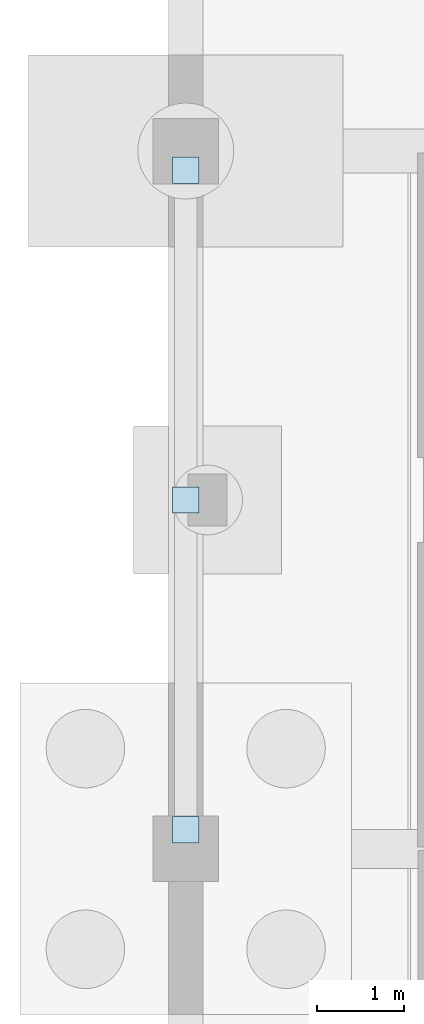
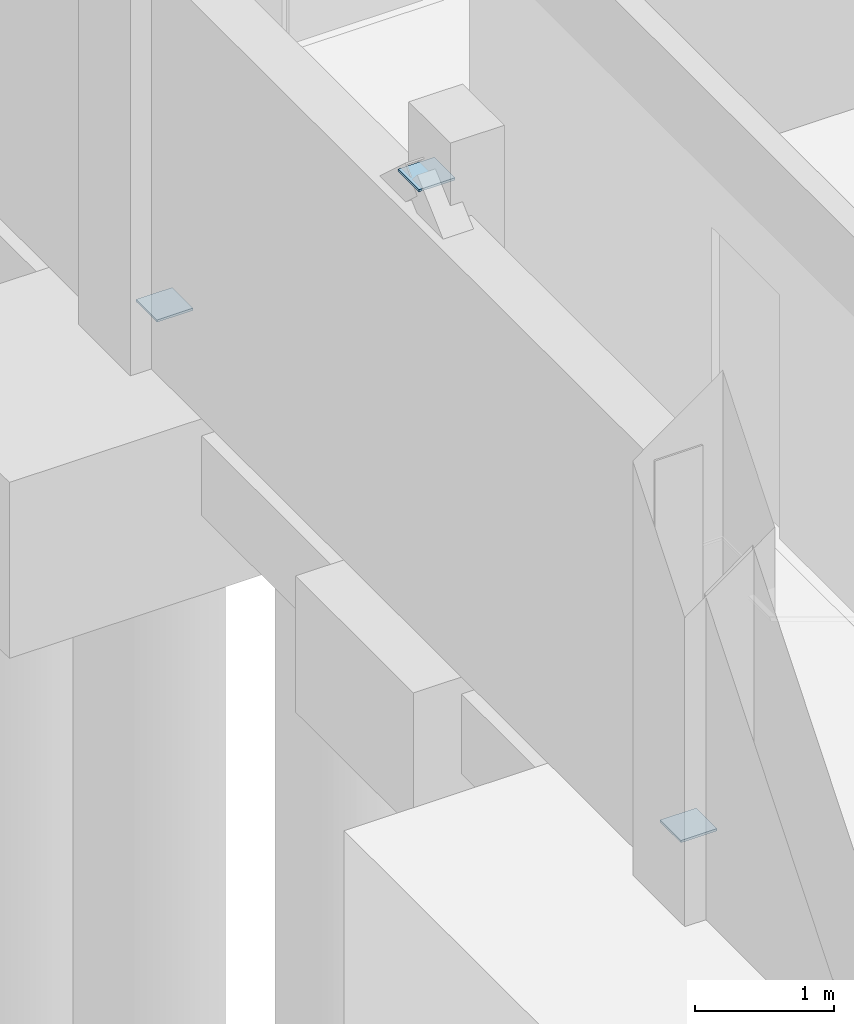
# One storey, part 24 of 48: 3 plates.
"""IFC4 building model written with IfcOpenShell, lengths in metres."""

from ifc_helpers import new_model, si_unit, derived_unit, direction, frame, origin, origin_2d, place, context, subcontext, project, spatial, rectangle, extrude, material, layer, layer_set, type_object, element, save


model = new_model("IFC4")

# Units and contexts
model_context = context("Model", 3, precision=1e-05, world=origin(), true_north=direction((0.0, 1.0)))
body_context = subcontext(model_context, "Body", "Model", "MODEL_VIEW")
ifc_project = project(units=[si_unit("LENGTHUNIT", "METRE"), si_unit("AREAUNIT", "SQUARE_METRE"), si_unit("VOLUMEUNIT", "CUBIC_METRE"), si_unit("PLANEANGLEUNIT", "RADIAN"), si_unit("MASSUNIT", "GRAM", prefix="KILO"), derived_unit("THERMALTRANSMITTANCEUNIT", [(si_unit("MASSUNIT", "GRAM", prefix="KILO"), 1), (si_unit("TIMEUNIT", "SECOND"), -3), (si_unit("THERMODYNAMICTEMPERATUREUNIT", "KELVIN"), -1)])], contexts=[model_context])

# Site, building, storey
site_placement = place(None, origin())
site = spatial("IfcSite", under=ifc_project, at=site_placement, CompositionType="ELEMENT")
building_placement = place(site_placement, origin())
building = spatial("IfcBuilding", under=site, at=building_placement, Name="Veyamyaing Civic Hall", CompositionType="ELEMENT")
storey_placement = place(building_placement, frame((0.0, 0.0, -4.2900390625)))
storey = spatial("IfcBuildingStorey", under=building, at=storey_placement, Name="B1", CompositionType="ELEMENT", Elevation=-4.2900390625)

# Plates
ifc_material = material(Name="Steel S355J2", Category="steel")
ifc_layer = layer(ifc_material, 0.02001953125, Name="Steel S355J2")
ifc_layer_set = layer_set([ifc_layer], Name="Steel S355J2")
plate_type = type_object("IfcPlateType", Name="GP-01", PredefinedType="SHEET", material=ifc_layer_set)
for number, where, z_axis, x_axis, name in (
    (1, (0.0, 88.219970703125, 0.39013671875), (0.0, 0.0, 1.0), (1.0, 0.0, 0.0), "Brace base gusset plate GP-01 BF-NW B1.L"),
    (2, (0.0, 95.780029296875, 0.39013671875), (0.0, 0.0, 1.0), (1.0, 0.0, 0.0), "Brace base gusset plate GP-01 BF-NW B1.R"),
    (3, (0.0, 92.0, 3.830078125), (0.0, 0.0, 1.0), (1.0, 0.0, 0.0), "Brace apex gusset plate GP-01 BF-NW B1"),
):
    element("IfcPlate", number, at=place(storey_placement, frame(where, z_axis=z_axis, x_axis=x_axis)), inside=storey, type_object=plate_type, Name=name, PredefinedType="SHEET", context=body_context, shape_type="SweptSolid", body=[
        extrude(rectangle(XDim=0.300048828125, YDim=0.300048828125, at=origin_2d()), origin(), (0.0, 0.0, 1.0), 0.02001953125),
    ])

save(model, "model.ifc")
